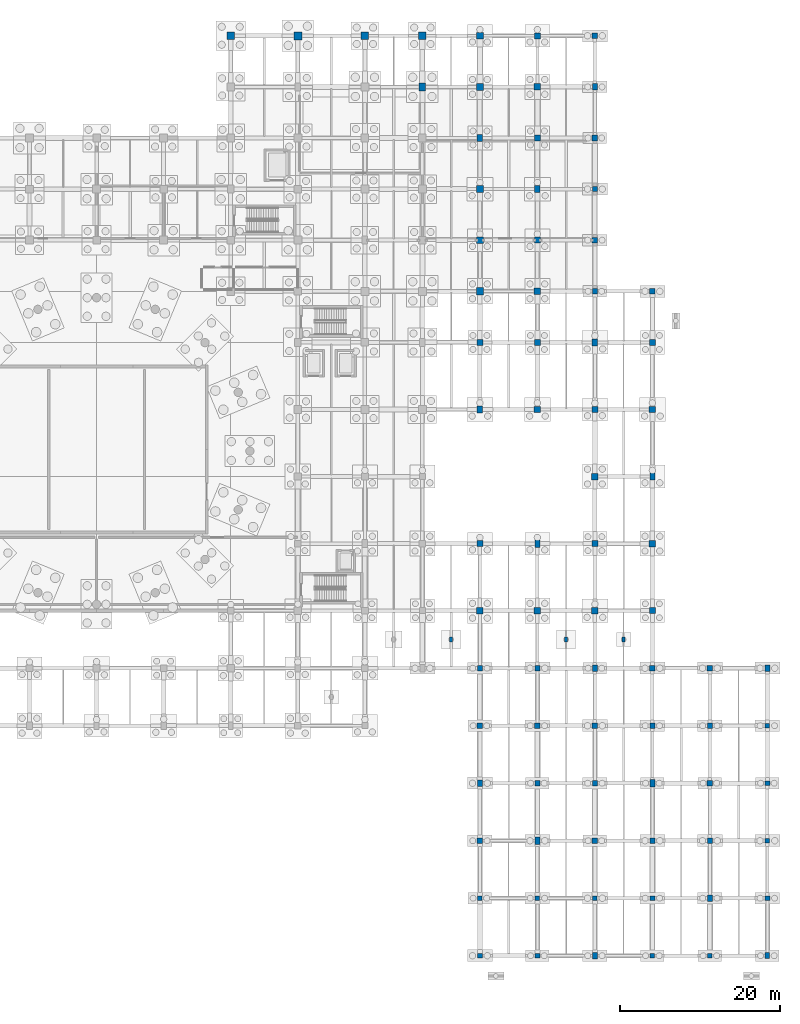
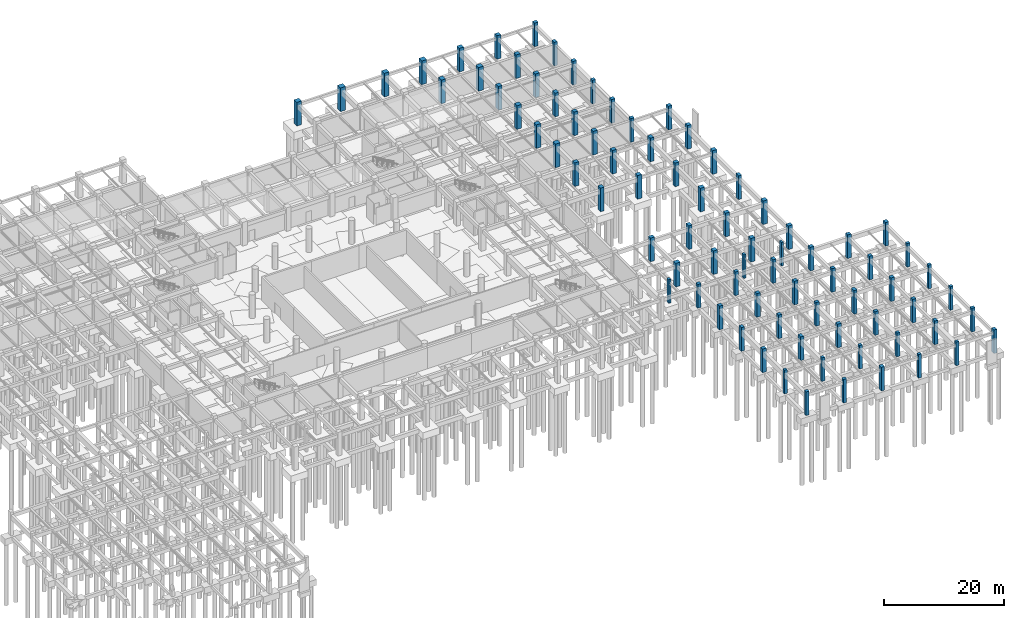
# One storey, part 17 of 44: 81 columns.
"""IFC4 building model written with IfcOpenShell, lengths in metres."""

from ifc_helpers import new_model, si_unit, direction, frame, origin, origin_2d, place, context, subcontext, project, spatial, rectangle, extrude, material, material_profile, profile_set, type_object, element, save


model = new_model("IFC4")

# Units and contexts
model_context = context("Model", 3, precision=1e-05, world=origin(), true_north=direction((0.0, 1.0)))
body_context = subcontext(model_context, "Body", "Model", "MODEL_VIEW")
ifc_project = project(units=[si_unit("LENGTHUNIT", "METRE"), si_unit("AREAUNIT", "SQUARE_METRE"), si_unit("VOLUMEUNIT", "CUBIC_METRE"), si_unit("PLANEANGLEUNIT", "RADIAN"), si_unit("MASSUNIT", "GRAM", prefix="KILO")], contexts=[model_context])

# Site, building, storey
site_placement = place(None, origin())
site = spatial("IfcSite", under=ifc_project, at=site_placement, CompositionType="ELEMENT")
building_placement = place(site_placement, origin())
building = spatial("IfcBuilding", under=site, at=building_placement, Name="Korsvaeld Concert Hall", CompositionType="ELEMENT")
storey_placement = place(building_placement, frame((0.0, 0.0, -4.800048828125)))
storey = spatial("IfcBuildingStorey", under=building, at=storey_placement, Name="B1", CompositionType="ELEMENT", Elevation=-4.800048828125)

# Columns
ifc_material = material(Name="Concrete C40/50", Category="concrete")
ifc_material_profile_1 = material_profile(ifc_material, rectangle(XDim=1.0, YDim=1.0, at=origin_2d()), Name="RC 1000x1000")
ifc_profile_set_1 = profile_set([ifc_material_profile_1], Name="Concrete C40/50")
column_type_1 = type_object("IfcColumnType", Name="COL-RC-1000x1000", PredefinedType="COLUMN", material=ifc_profile_set_1)
column_1_placement = place(storey_placement, frame((109.199951171875, 115.199951171875, 0.0), z_axis=(0.0, 0.0, 1.0), x_axis=(1.0, 0.0, 0.0)))
element("IfcColumn", 1, at=column_1_placement, inside=storey, type_object=column_type_1, Name="Column 15/S B1", PredefinedType="COLUMN", context=body_context, shape_type="SweptSolid", body=[
    extrude(rectangle(XDim=1.0, YDim=1.0, at=origin_2d()), origin(), (0.0, 0.0, 1.0), 4.800048828125),
])
ifc_material_profile_2 = material_profile(ifc_material, rectangle(XDim=0.550048828125, YDim=0.550048828125, at=origin_2d()), Name="RC 550x550")
ifc_profile_set_2 = profile_set([ifc_material_profile_2], Name="Concrete C40/50")
column_type_2 = type_object("IfcColumnType", Name="COL-RC-550x550", PredefinedType="COLUMN", material=ifc_profile_set_2)
for number, where, z_axis, x_axis, name in (
    (2, (132.0, 7.199951171875, 0.0), (0.0, 0.0, 1.0), (1.0, 0.0, 0.0), "Column 18/B B1"),
    (3, (139.199951171875, 7.199951171875, 0.0), (0.0, 0.0, 1.0), (1.0, 0.0, 0.0), "Column 19/B B1"),
    (4, (146.39990234375, 7.199951171875, 0.0), (0.0, 0.0, 1.0), (1.0, 0.0, 0.0), "Column 20/B B1"),
    (5, (153.60009765625, 0.0, 0.0), (0.0, 0.0, 1.0), (1.0, 0.0, 0.0), "Column 21/A B1"),
    (6, (160.800048828125, 0.0, 0.0), (0.0, 0.0, 1.0), (1.0, 0.0, 0.0), "Column 22/A B1"),
    (7, (168.0, 14.39990234375, 0.0), (0.0, 0.0, 1.0), (1.0, 0.0, 0.0), "Column 23/C B1"),
    (8, (168.0, 28.800048828125, 0.0), (0.0, 0.0, 1.0), (1.0, 0.0, 0.0), "Column 23/E B1"),
):
    element("IfcColumn", number, at=place(storey_placement, frame(where, z_axis=z_axis, x_axis=x_axis)), inside=storey, type_object=column_type_2, Name=name, PredefinedType="COLUMN", context=body_context, shape_type="SweptSolid", body=[
        extrude(rectangle(XDim=0.550048828125, YDim=0.550048828125, at=origin_2d()), origin(), (0.0, 0.0, 1.0), 4.800048828125),
    ])
ifc_material_profile_3 = material_profile(ifc_material, rectangle(XDim=0.550048828125, YDim=0.75, at=origin_2d()), Name="RC 550x750")
ifc_profile_set_3 = profile_set([ifc_material_profile_3], Name="Concrete C40/50")
column_type_3 = type_object("IfcColumnType", Name="COL-RC-550x750", PredefinedType="COLUMN", material=ifc_profile_set_3)
column_2_placement = place(storey_placement, frame((168.0, 0.0, 0.0), z_axis=(0.0, 0.0, 1.0), x_axis=(1.0, 0.0, 0.0)))
element("IfcColumn", 9, at=column_2_placement, inside=storey, type_object=column_type_3, Name="Column 23/A B1", PredefinedType="COLUMN", context=body_context, shape_type="SweptSolid", body=[
    extrude(rectangle(XDim=0.550048828125, YDim=0.75, at=origin_2d()), origin(), (0.0, 0.0, 1.0), 4.800048828125),
])
ifc_material_profile_4 = material_profile(ifc_material, rectangle(XDim=0.60009765625, YDim=0.60009765625, at=origin_2d()), Name="RC 600x600")
ifc_profile_set_4 = profile_set([ifc_material_profile_4], Name="Concrete C40/50")
column_type_4 = type_object("IfcColumnType", Name="COL-RC-600x600", PredefinedType="COLUMN", material=ifc_profile_set_4)
for number, where, z_axis, x_axis, name in (
    (10, (132.0, 0.0, 0.0), (0.0, 0.0, 1.0), (1.0, 0.0, 0.0), "Column 18/A B1"),
    (11, (139.199951171875, 0.0, 0.0), (0.0, 0.0, 1.0), (1.0, 0.0, 0.0), "Column 19/A B1"),
    (12, (153.60009765625, 7.199951171875, 0.0), (0.0, 0.0, 1.0), (1.0, 0.0, 0.0), "Column 21/B B1"),
    (13, (168.0, 7.199951171875, 0.0), (0.0, 0.0, 1.0), (1.0, 0.0, 0.0), "Column 23/B B1"),
    (14, (168.0, 21.60009765625, 0.0), (0.0, 0.0, 1.0), (1.0, 0.0, 0.0), "Column 23/D B1"),
):
    element("IfcColumn", number, at=place(storey_placement, frame(where, z_axis=z_axis, x_axis=x_axis)), inside=storey, type_object=column_type_4, Name=name, PredefinedType="COLUMN", context=body_context, shape_type="SweptSolid", body=[
        extrude(rectangle(XDim=0.60009765625, YDim=0.60009765625, at=origin_2d()), origin(), (0.0, 0.0, 1.0), 4.800048828125),
    ])
ifc_material_profile_5 = material_profile(ifc_material, rectangle(XDim=0.60009765625, YDim=0.800048828125, at=origin_2d()), Name="RC 600x800")
ifc_profile_set_5 = profile_set([ifc_material_profile_5], Name="Concrete C40/50")
column_type_5 = type_object("IfcColumnType", Name="COL-RC-600x800", PredefinedType="COLUMN", material=ifc_profile_set_5)
for number, where, z_axis, x_axis, name in (
    (15, (132.0, 21.60009765625, 0.0), (0.0, 0.0, 1.0), (1.0, 0.0, 0.0), "Column 18/D B1"),
    (16, (146.39990234375, 0.0, 0.0), (0.0, 0.0, 1.0), (1.0, 0.0, 0.0), "Column 20/A B1"),
    (17, (146.39990234375, 36.0, 0.0), (0.0, 0.0, 1.0), (1.0, 0.0, 0.0), "Column 20/F B1"),
    (18, (146.39990234375, 108.800048828125, 0.0), (0.0, 0.0, 1.0), (1.0, 0.0, 0.0), "Column 20/R B1"),
    (19, (160.800048828125, 7.199951171875, 0.0), (0.0, 0.0, 1.0), (1.0, 0.0, 0.0), "Column 22/B B1"),
    (20, (168.0, 36.0, 0.0), (0.0, 0.0, 1.0), (1.0, 0.0, 0.0), "Column 23/F B1"),
):
    element("IfcColumn", number, at=place(storey_placement, frame(where, z_axis=z_axis, x_axis=x_axis)), inside=storey, type_object=column_type_5, Name=name, PredefinedType="COLUMN", context=body_context, shape_type="SweptSolid", body=[
        extrude(rectangle(XDim=0.60009765625, YDim=0.800048828125, at=origin_2d()), origin(), (0.0, 0.0, 1.0), 4.800048828125),
    ])
ifc_material_profile_6 = material_profile(ifc_material, rectangle(XDim=0.60009765625, YDim=0.89990234375, at=origin_2d()), Name="RC 600x900")
ifc_profile_set_6 = profile_set([ifc_material_profile_6], Name="Concrete C40/50")
column_type_6 = type_object("IfcColumnType", Name="COL-RC-600x900", PredefinedType="COLUMN", material=ifc_profile_set_6)
for number, where, z_axis, x_axis, name in (
    (21, (139.199951171875, 14.39990234375, 0.0), (0.0, 0.0, 1.0), (1.0, 0.0, 0.0), "Column 19/C B1"),
    (22, (139.199951171875, 51.60009765625, 0.0), (0.0, 0.0, 1.0), (1.0, 0.0, 0.0), "Column 19/H B1"),
    (23, (153.60009765625, 21.60009765625, 0.0), (0.0, 0.0, 1.0), (1.0, 0.0, 0.0), "Column 21/D B1"),
    (24, (153.60009765625, 60.0, 0.0), (0.0, 0.0, 1.0), (1.0, 0.0, 0.0), "Column 21/J B1"),
):
    element("IfcColumn", number, at=place(storey_placement, frame(where, z_axis=z_axis, x_axis=x_axis)), inside=storey, type_object=column_type_6, Name=name, PredefinedType="COLUMN", context=body_context, shape_type="SweptSolid", body=[
        extrude(rectangle(XDim=0.60009765625, YDim=0.89990234375, at=origin_2d()), origin(), (0.0, 0.0, 1.0), 4.800048828125),
    ])
ifc_material_profile_7 = material_profile(ifc_material, rectangle(XDim=0.64990234375, YDim=0.64990234375, at=origin_2d()), Name="RC 650x650")
ifc_profile_set_7 = profile_set([ifc_material_profile_7], Name="Concrete C40/50")
column_type_7 = type_object("IfcColumnType", Name="COL-RC-650x650", PredefinedType="COLUMN", material=ifc_profile_set_7)
for number, where, z_axis, x_axis, name in (
    (25, (132.0, 36.0, 0.0), (0.0, 0.0, 1.0), (1.0, 0.0, 0.0), "Column 18/F B1"),
    (26, (139.199951171875, 21.60009765625, 0.0), (0.0, 0.0, 1.0), (1.0, 0.0, 0.0), "Column 19/D B1"),
    (27, (139.199951171875, 36.0, 0.0), (0.0, 0.0, 1.0), (1.0, 0.0, 0.0), "Column 19/F B1"),
    (28, (146.39990234375, 21.60009765625, 0.0), (0.0, 0.0, 1.0), (1.0, 0.0, 0.0), "Column 20/D B1"),
    (29, (146.39990234375, 83.199951171875, 0.0), (0.0, 0.0, 1.0), (1.0, 0.0, 0.0), "Column 20/M B1"),
    (30, (146.39990234375, 96.0, 0.0), (0.0, 0.0, 1.0), (1.0, 0.0, 0.0), "Column 20/P B1"),
    (31, (153.60009765625, 14.39990234375, 0.0), (0.0, 0.0, 1.0), (1.0, 0.0, 0.0), "Column 21/C B1"),
    (32, (153.60009765625, 28.800048828125, 0.0), (0.0, 0.0, 1.0), (1.0, 0.0, 0.0), "Column 21/E B1"),
    (33, (160.800048828125, 14.39990234375, 0.0), (0.0, 0.0, 1.0), (1.0, 0.0, 0.0), "Column 22/C B1"),
    (34, (160.800048828125, 28.800048828125, 0.0), (0.0, 0.0, 1.0), (1.0, 0.0, 0.0), "Column 22/E B1"),
):
    element("IfcColumn", number, at=place(storey_placement, frame(where, z_axis=z_axis, x_axis=x_axis)), inside=storey, type_object=column_type_7, Name=name, PredefinedType="COLUMN", context=body_context, shape_type="SweptSolid", body=[
        extrude(rectangle(XDim=0.64990234375, YDim=0.64990234375, at=origin_2d()), origin(), (0.0, 0.0, 1.0), 4.800048828125),
    ])
ifc_material_profile_8 = material_profile(ifc_material, rectangle(XDim=0.699951171875, YDim=0.699951171875, at=origin_2d()), Name="RC 700x700")
ifc_profile_set_8 = profile_set([ifc_material_profile_8], Name="Concrete C40/50")
column_type_8 = type_object("IfcColumnType", Name="COL-RC-700x700", PredefinedType="COLUMN", material=ifc_profile_set_8)
for number, where, z_axis, x_axis, name in (
    (35, (132.0, 14.39990234375, 0.0), (0.0, 0.0, 1.0), (1.0, 0.0, 0.0), "Column 18/C B1"),
    (36, (132.0, 28.800048828125, 0.0), (0.0, 0.0, 1.0), (1.0, 0.0, 0.0), "Column 18/E B1"),
    (37, (139.199951171875, 28.800048828125, 0.0), (0.0, 0.0, 1.0), (1.0, 0.0, 0.0), "Column 19/E B1"),
    (38, (146.39990234375, 14.39990234375, 0.0), (0.0, 0.0, 1.0), (1.0, 0.0, 0.0), "Column 20/C B1"),
    (39, (146.39990234375, 28.800048828125, 0.0), (0.0, 0.0, 1.0), (1.0, 0.0, 0.0), "Column 20/E B1"),
    (40, (146.39990234375, 89.60009765625, 0.0), (0.0, 0.0, 1.0), (1.0, 0.0, 0.0), "Column 20/N B1"),
    (41, (146.39990234375, 102.39990234375, 0.0), (0.0, 0.0, 1.0), (1.0, 0.0, 0.0), "Column 20/Q B1"),
    (42, (146.39990234375, 115.199951171875, 0.0), (0.0, 0.0, 1.0), (1.0, 0.0, 0.0), "Column 20/S B1"),
    (43, (153.60009765625, 36.0, 0.0), (0.0, 0.0, 1.0), (1.0, 0.0, 0.0), "Column 21/F B1"),
    (44, (153.60009765625, 83.199951171875, 0.0), (0.0, 0.0, 1.0), (1.0, 0.0, 0.0), "Column 21/M B1"),
    (45, (160.800048828125, 21.60009765625, 0.0), (0.0, 0.0, 1.0), (1.0, 0.0, 0.0), "Column 22/D B1"),
    (46, (160.800048828125, 36.0, 0.0), (0.0, 0.0, 1.0), (1.0, 0.0, 0.0), "Column 22/F B1"),
):
    element("IfcColumn", number, at=place(storey_placement, frame(where, z_axis=z_axis, x_axis=x_axis)), inside=storey, type_object=column_type_8, Name=name, PredefinedType="COLUMN", context=body_context, shape_type="SweptSolid", body=[
        extrude(rectangle(XDim=0.699951171875, YDim=0.699951171875, at=origin_2d()), origin(), (0.0, 0.0, 1.0), 4.800048828125),
    ])
ifc_material_profile_9 = material_profile(ifc_material, rectangle(XDim=0.699951171875, YDim=0.89990234375, at=origin_2d()), Name="RC 700x900")
ifc_profile_set_9 = profile_set([ifc_material_profile_9], Name="Concrete C40/50")
column_type_9 = type_object("IfcColumnType", Name="COL-RC-700x900", PredefinedType="COLUMN", material=ifc_profile_set_9)
for number, where, z_axis, x_axis, name in (
    (47, (132.0, 68.39990234375, 0.0), (0.0, 0.0, 1.0), (1.0, 0.0, 0.0), "Column 18/K B1"),
    (48, (132.0, 102.39990234375, 0.0), (0.0, 0.0, 1.0), (1.0, 0.0, 0.0), "Column 18/Q B1"),
    (49, (139.199951171875, 96.0, 0.0), (0.0, 0.0, 1.0), (1.0, 0.0, 0.0), "Column 19/P B1"),
    (50, (146.39990234375, 76.800048828125, 0.0), (0.0, 0.0, 1.0), (1.0, 0.0, 0.0), "Column 20/L B1"),
):
    element("IfcColumn", number, at=place(storey_placement, frame(where, z_axis=z_axis, x_axis=x_axis)), inside=storey, type_object=column_type_9, Name=name, PredefinedType="COLUMN", context=body_context, shape_type="SweptSolid", body=[
        extrude(rectangle(XDim=0.699951171875, YDim=0.89990234375, at=origin_2d()), origin(), (0.0, 0.0, 1.0), 4.800048828125),
    ])
ifc_material_profile_10 = material_profile(ifc_material, rectangle(XDim=0.75, YDim=0.75, at=origin_2d()), Name="RC 750x750")
ifc_profile_set_10 = profile_set([ifc_material_profile_10], Name="Concrete C40/50")
column_type_10 = type_object("IfcColumnType", Name="COL-RC-750x750", PredefinedType="COLUMN", material=ifc_profile_set_10)
for number, where, z_axis, x_axis, name in (
    (51, (132.0, 51.60009765625, 0.0), (0.0, 0.0, 1.0), (1.0, 0.0, 0.0), "Column 18/H B1"),
    (52, (132.0, 76.800048828125, 0.0), (0.0, 0.0, 1.0), (1.0, 0.0, 0.0), "Column 18/L B1"),
    (53, (139.199951171875, 76.800048828125, 0.0), (0.0, 0.0, 1.0), (1.0, 0.0, 0.0), "Column 19/L B1"),
    (54, (139.199951171875, 89.60009765625, 0.0), (0.0, 0.0, 1.0), (1.0, 0.0, 0.0), "Column 19/N B1"),
    (55, (139.199951171875, 102.39990234375, 0.0), (0.0, 0.0, 1.0), (1.0, 0.0, 0.0), "Column 19/Q B1"),
    (56, (139.199951171875, 115.199951171875, 0.0), (0.0, 0.0, 1.0), (1.0, 0.0, 0.0), "Column 19/S B1"),
    (57, (146.39990234375, 51.60009765625, 0.0), (0.0, 0.0, 1.0), (1.0, 0.0, 0.0), "Column 20/H B1"),
    (58, (146.39990234375, 68.39990234375, 0.0), (0.0, 0.0, 1.0), (1.0, 0.0, 0.0), "Column 20/K B1"),
    (59, (153.60009765625, 43.199951171875, 0.0), (0.0, 0.0, 1.0), (1.0, 0.0, 0.0), "Column 21/G B1"),
    (60, (153.60009765625, 76.800048828125, 0.0), (0.0, 0.0, 1.0), (1.0, 0.0, 0.0), "Column 21/L B1"),
):
    element("IfcColumn", number, at=place(storey_placement, frame(where, z_axis=z_axis, x_axis=x_axis)), inside=storey, type_object=column_type_10, Name=name, PredefinedType="COLUMN", context=body_context, shape_type="SweptSolid", body=[
        extrude(rectangle(XDim=0.75, YDim=0.75, at=origin_2d()), origin(), (0.0, 0.0, 1.0), 4.800048828125),
    ])
ifc_material_profile_11 = material_profile(ifc_material, rectangle(XDim=0.800048828125, YDim=1.0, at=origin_2d()), Name="RC 800x1000")
ifc_profile_set_11 = profile_set([ifc_material_profile_11], Name="Concrete C40/50")
column_type_11 = type_object("IfcColumnType", Name="COL-RC-800x1000", PredefinedType="COLUMN", material=ifc_profile_set_11)
column_3_placement = place(storey_placement, frame((124.800048828125, 108.800048828125, 0.0), z_axis=(0.0, 0.0, 1.0), x_axis=(1.0, 0.0, 0.0)))
element("IfcColumn", 61, at=column_3_placement, inside=storey, type_object=column_type_11, Name="Column 17/R B1", PredefinedType="COLUMN", context=body_context, shape_type="SweptSolid", body=[
    extrude(rectangle(XDim=0.800048828125, YDim=1.0, at=origin_2d()), origin(), (0.0, 0.0, 1.0), 4.800048828125),
])
ifc_material_profile_12 = material_profile(ifc_material, rectangle(XDim=0.800048828125, YDim=0.800048828125, at=origin_2d()), Name="RC 800x800")
ifc_profile_set_12 = profile_set([ifc_material_profile_12], Name="Concrete C40/50")
column_type_12 = type_object("IfcColumnType", Name="COL-RC-800x800", PredefinedType="COLUMN", material=ifc_profile_set_12)
for number, where, z_axis, x_axis, name in (
    (62, (132.0, 43.199951171875, 0.0), (0.0, 0.0, 1.0), (1.0, 0.0, 0.0), "Column 18/G B1"),
    (63, (139.199951171875, 43.199951171875, 0.0), (0.0, 0.0, 1.0), (1.0, 0.0, 0.0), "Column 19/G B1"),
    (64, (139.199951171875, 68.39990234375, 0.0), (0.0, 0.0, 1.0), (1.0, 0.0, 0.0), "Column 19/K B1"),
    (65, (139.199951171875, 83.199951171875, 0.0), (0.0, 0.0, 1.0), (1.0, 0.0, 0.0), "Column 19/M B1"),
    (66, (139.199951171875, 108.800048828125, 0.0), (0.0, 0.0, 1.0), (1.0, 0.0, 0.0), "Column 19/R B1"),
    (67, (146.39990234375, 43.199951171875, 0.0), (0.0, 0.0, 1.0), (1.0, 0.0, 0.0), "Column 20/G B1"),
    (68, (146.39990234375, 60.0, 0.0), (0.0, 0.0, 1.0), (1.0, 0.0, 0.0), "Column 20/J B1"),
    (69, (153.60009765625, 51.60009765625, 0.0), (0.0, 0.0, 1.0), (1.0, 0.0, 0.0), "Column 21/H B1"),
    (70, (153.60009765625, 68.39990234375, 0.0), (0.0, 0.0, 1.0), (1.0, 0.0, 0.0), "Column 21/K B1"),
):
    element("IfcColumn", number, at=place(storey_placement, frame(where, z_axis=z_axis, x_axis=x_axis)), inside=storey, type_object=column_type_12, Name=name, PredefinedType="COLUMN", context=body_context, shape_type="SweptSolid", body=[
        extrude(rectangle(XDim=0.800048828125, YDim=0.800048828125, at=origin_2d()), origin(), (0.0, 0.0, 1.0), 4.800048828125),
    ])
ifc_material_profile_13 = material_profile(ifc_material, rectangle(XDim=0.85009765625, YDim=0.85009765625, at=origin_2d()), Name="RC 850x850")
ifc_profile_set_13 = profile_set([ifc_material_profile_13], Name="Concrete C40/50")
column_type_13 = type_object("IfcColumnType", Name="COL-RC-850x850", PredefinedType="COLUMN", material=ifc_profile_set_13)
for number, where, z_axis, x_axis, name in (
    (71, (132.0, 89.60009765625, 0.0), (0.0, 0.0, 1.0), (1.0, 0.0, 0.0), "Column 18/N B1"),
    (72, (132.0, 115.199951171875, 0.0), (0.0, 0.0, 1.0), (1.0, 0.0, 0.0), "Column 18/S B1"),
):
    element("IfcColumn", number, at=place(storey_placement, frame(where, z_axis=z_axis, x_axis=x_axis)), inside=storey, type_object=column_type_13, Name=name, PredefinedType="COLUMN", context=body_context, shape_type="SweptSolid", body=[
        extrude(rectangle(XDim=0.85009765625, YDim=0.85009765625, at=origin_2d()), origin(), (0.0, 0.0, 1.0), 4.800048828125),
    ])
ifc_material_profile_14 = material_profile(ifc_material, rectangle(XDim=0.89990234375, YDim=0.89990234375, at=origin_2d()), Name="RC 900x900")
ifc_profile_set_14 = profile_set([ifc_material_profile_14], Name="Concrete C40/50")
column_type_14 = type_object("IfcColumnType", Name="COL-RC-900x900", PredefinedType="COLUMN", material=ifc_profile_set_14)
for number, where, z_axis, x_axis, name in (
    (73, (132.0, 83.199951171875, 0.0), (0.0, 0.0, 1.0), (1.0, 0.0, 0.0), "Column 18/M B1"),
    (74, (132.0, 96.0, 0.0), (0.0, 0.0, 1.0), (1.0, 0.0, 0.0), "Column 18/P B1"),
    (75, (132.0, 108.800048828125, 0.0), (0.0, 0.0, 1.0), (1.0, 0.0, 0.0), "Column 18/R B1"),
):
    element("IfcColumn", number, at=place(storey_placement, frame(where, z_axis=z_axis, x_axis=x_axis)), inside=storey, type_object=column_type_14, Name=name, PredefinedType="COLUMN", context=body_context, shape_type="SweptSolid", body=[
        extrude(rectangle(XDim=0.89990234375, YDim=0.89990234375, at=origin_2d()), origin(), (0.0, 0.0, 1.0), 4.800048828125),
    ])
ifc_material_profile_15 = material_profile(ifc_material, rectangle(XDim=0.949951171875, YDim=0.949951171875, at=origin_2d()), Name="RC 950x950")
ifc_profile_set_15 = profile_set([ifc_material_profile_15], Name="Concrete C40/50")
column_type_15 = type_object("IfcColumnType", Name="COL-RC-950x950", PredefinedType="COLUMN", material=ifc_profile_set_15)
for number, where, z_axis, x_axis, name in (
    (76, (100.800048828125, 115.199951171875, 0.0), (0.0, 0.0, 1.0), (1.0, 0.0, 0.0), "Column 14/S B1"),
    (77, (117.60009765625, 115.199951171875, 0.0), (0.0, 0.0, 1.0), (1.0, 0.0, 0.0), "Column 16/S B1"),
    (78, (124.800048828125, 115.199951171875, 0.0), (0.0, 0.0, 1.0), (1.0, 0.0, 0.0), "Column 17/S B1"),
):
    element("IfcColumn", number, at=place(storey_placement, frame(where, z_axis=z_axis, x_axis=x_axis)), inside=storey, type_object=column_type_15, Name=name, PredefinedType="COLUMN", context=body_context, shape_type="SweptSolid", body=[
        extrude(rectangle(XDim=0.949951171875, YDim=0.949951171875, at=origin_2d()), origin(), (0.0, 0.0, 1.0), 4.800048828125),
    ])
ifc_material_profile_16 = material_profile(ifc_material, rectangle(XDim=0.39990234375, YDim=0.64990234375, at=origin_2d()), Name="RC 400x650")
ifc_profile_set_16 = profile_set([ifc_material_profile_16], Name="Concrete C40/50")
column_type_16 = type_object("IfcColumnType", Name="PIL-RC-400x650", PredefinedType="PILASTER", material=ifc_profile_set_16)
for number, where, z_axis, x_axis, name in (
    (79, (128.39990234375, 39.60009765625, 0.0), (0.0, 0.0, 1.0), (1.0, 0.0, 0.0), "Colonnade pilaster PL-06 B1"),
    (80, (142.800048828125, 39.60009765625, 0.0), (0.0, 0.0, 1.0), (1.0, 0.0, 0.0), "Colonnade pilaster PL-09 B1"),
    (81, (150.0, 39.60009765625, 0.0), (0.0, 0.0, 1.0), (1.0, 0.0, 0.0), "Colonnade pilaster PL-10 B1"),
):
    element("IfcColumn", number, at=place(storey_placement, frame(where, z_axis=z_axis, x_axis=x_axis)), inside=storey, type_object=column_type_16, Name=name, PredefinedType="PILASTER", context=body_context, shape_type="SweptSolid", body=[
        extrude(rectangle(XDim=0.39990234375, YDim=0.64990234375, at=origin_2d()), origin(), (0.0, 0.0, 1.0), 4.800048828125),
    ])

save(model, "model.ifc")
